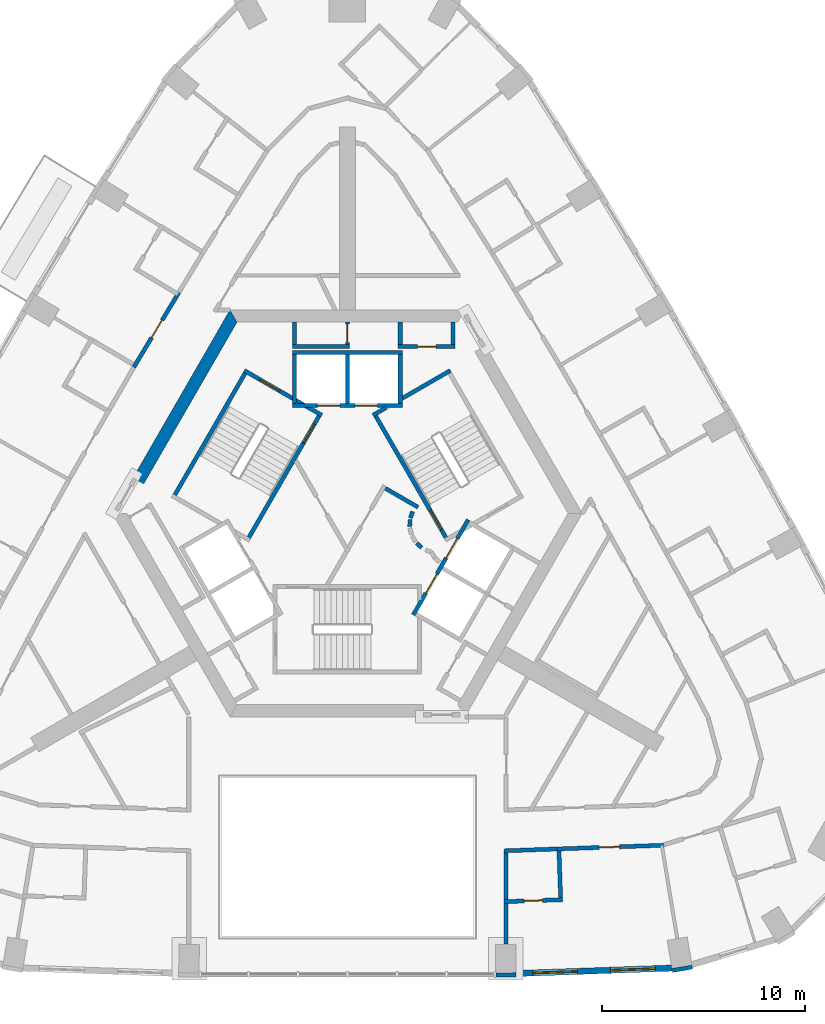
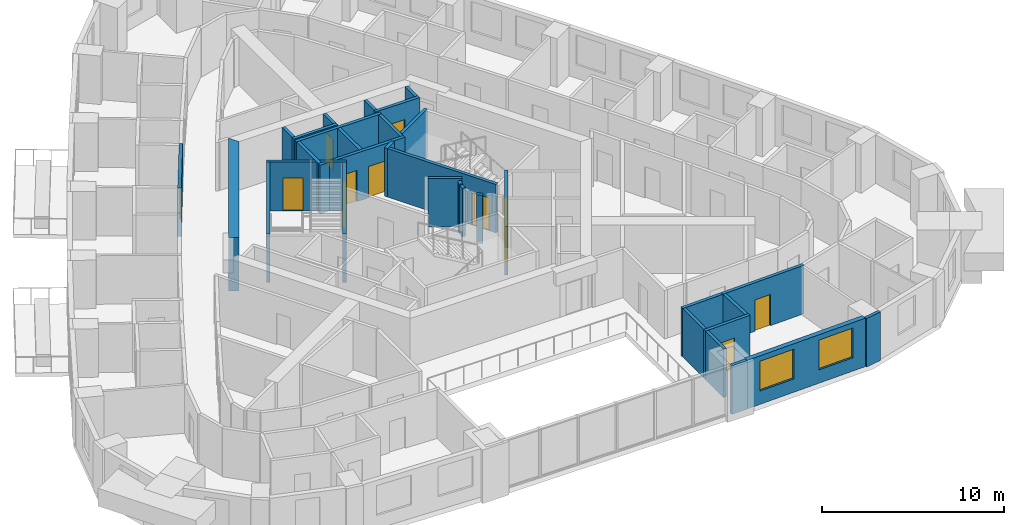
# One storey, part 6 of 14: 33 walls, 12 doors, 2 windows, 14 openings.
"""IFC4 building model written with IfcOpenShell, lengths in metres."""

from ifc_helpers import new_model, si_unit, direction, frame, frame_2d, origin, place, context, subcontext, project, spatial, polyline, rectangle, outline, extrude, material, layer, layer_set, type_object, element, fill, save


model = new_model("IFC4")

# Units and contexts
model_context = context("Model", 3, precision=1e-05, world=origin(), true_north=direction((0.0, 1.0)))
body_context = subcontext(model_context, "Body", "Model", "MODEL_VIEW")
ifc_project = project(units=[si_unit("LENGTHUNIT", "METRE"), si_unit("AREAUNIT", "SQUARE_METRE"), si_unit("VOLUMEUNIT", "CUBIC_METRE"), si_unit("PLANEANGLEUNIT", "RADIAN"), si_unit("MASSUNIT", "GRAM", prefix="KILO")], contexts=[model_context])

# Site, building, storey
site_placement = place(None, origin())
site = spatial("IfcSite", under=ifc_project, at=site_placement, CompositionType="ELEMENT")
building_placement = place(site_placement, origin())
building = spatial("IfcBuilding", under=site, at=building_placement, Name="Entoto Arch Interchange Tower", CompositionType="ELEMENT")
storey_placement = place(building_placement, frame((0.0, 0.0, 259.39990234375)))
storey = spatial("IfcBuildingStorey", under=building, at=storey_placement, Name="L59", CompositionType="ELEMENT", Elevation=259.39990234375)

# Wall
ifc_material_1 = material(Name="Concrete C40/50", Category="concrete")
ifc_layer_1 = layer(ifc_material_1, 0.60009765625)
ifc_layer_set_1 = layer_set([ifc_layer_1], Name="Concrete C40/50")
wall_type_1 = type_object("IfcWallType", Name="Core wall 600 C40/50", PredefinedType="SHEAR", material=ifc_layer_set_1)
wall_1_placement = place(storey_placement, frame((0.0, 0.0, -0.33984375)))
element("IfcWall", 1, at=wall_1_placement, inside=storey, type_object=wall_type_1, Name="Core wall NW L59", PredefinedType="SHEAR", context=body_context, shape_type="SweptSolid", body=[
    extrude(outline(polyline([(-10.534912109375, 4.2529296875), (-10.014892578125, 3.952880859375), (-5.427001953125, 11.89990234375), (-5.77392578125, 12.5), (-10.534912109375, 4.2529296875)])), origin(), (0.0, 0.0, 1.0), 3.599853515625),
])

# Wall, openings, doors
ifc_layer_2 = layer(ifc_material_1, 0.199951171875)
ifc_layer_set_2 = layer_set([ifc_layer_2], Name="Concrete C40/50")
wall_type_2 = type_object("IfcWallType", Name="LIFT SHAFT WALL 200", PredefinedType="STANDARD", material=ifc_layer_set_2)
wall_2_placement = place(storey_placement, frame((2.699951171875, 7.800048828125, 0.0), z_axis=(0.0, 0.0, 1.0), x_axis=(-1.0, 0.0, 0.0)))
wall_2 = element("IfcWall", 2, at=wall_2_placement, inside=storey, type_object=wall_type_2, Name="Shaft wall N1 front", PredefinedType="STANDARD", context=body_context, shape_type="SweptSolid", body=[
    extrude(rectangle(XDim=5.39990234375, YDim=0.199951171875, at=frame_2d((2.699951171875, 0.0))), origin(), (0.0, 0.0, 1.0), 3.260009765625),
])
opening_1_placement = place(wall_2_placement, frame((1.22509765625, 0.0, 0.0)))
opening_1 = element("IfcOpeningElement", 3, at=opening_1_placement, cuts=wall_2, Name="Opening LD-HR1-L59", PredefinedType="OPENING", context=body_context, shape_type="SweptSolid", body=[
    extrude(rectangle(XDim=1.10009765625, YDim=2.10009765625, at=frame_2d((0.550048828125, 1.050048828125))), frame((0.0, 0.10986328125, 0.0), z_axis=(0.0, -1.0, 0.0), x_axis=(1.0, 0.0, 0.0)), (0.0, 0.0, 1.0), 0.219970703125),
])
opening_2_placement = place(wall_2_placement, frame((3.074951171875, 0.0, 0.0)))
opening_2 = element("IfcOpeningElement", 4, at=opening_2_placement, cuts=wall_2, Name="Opening LD-HR2-L59", PredefinedType="OPENING", context=body_context, shape_type="SweptSolid", body=[
    extrude(rectangle(XDim=1.10009765625, YDim=2.10009765625, at=frame_2d((0.550048828125, 1.050048828125))), frame((0.0, 0.10986328125, 0.0), z_axis=(0.0, -1.0, 0.0), x_axis=(1.0, 0.0, 0.0)), (0.0, 0.0, 1.0), 0.219970703125),
])
ifc_material_2 = material(Name="Stainless steel 1.4301 panels", Category="steel")
door_type_1 = type_object("IfcDoorType", Name="LIFT LANDING DOOR LD1 1100x2100", OperationType="SLIDING_TO_LEFT", PredefinedType="DOOR", material=ifc_material_2)
door_1_placement = place(opening_1_placement, origin())
door_1 = element("IfcDoor", 5, at=door_1_placement, inside=storey, type_object=door_type_1, Name="Lift landing door HR1 L59", OperationType="SLIDING_TO_LEFT", OverallHeight=2.10009765625, OverallWidth=1.10009765625, PredefinedType="DOOR", context=body_context, shape_type="SweptSolid", body=[
    extrude(rectangle(XDim=1.10009765625, YDim=2.10009765625, at=frame_2d((0.550048828125, 1.050048828125))), frame((0.0, 0.02490234375, 0.0), z_axis=(0.0, -1.0, 0.0), x_axis=(1.0, 0.0, 0.0)), (0.0, 0.0, 1.0), 0.050048828125),
])
fill(opening_1, door_1)
door_2_placement = place(opening_2_placement, origin())
door_2 = element("IfcDoor", 6, at=door_2_placement, inside=storey, type_object=door_type_1, Name="Lift landing door HR2 L59", OperationType="SLIDING_TO_LEFT", OverallHeight=2.10009765625, OverallWidth=1.10009765625, PredefinedType="DOOR", context=body_context, shape_type="SweptSolid", body=[
    extrude(rectangle(XDim=1.10009765625, YDim=2.10009765625, at=frame_2d((0.550048828125, 1.050048828125))), frame((0.0, 0.02490234375, 0.0), z_axis=(0.0, -1.0, 0.0), x_axis=(1.0, 0.0, 0.0)), (0.0, 0.0, 1.0), 0.050048828125),
])
fill(opening_2, door_2)

# Walls
wall_3_placement = place(storey_placement, frame((2.699951171875, 10.39990234375, 0.0), z_axis=(0.0, 0.0, 1.0), x_axis=(-1.0, 0.0, 0.0)))
element("IfcWall", 7, at=wall_3_placement, inside=storey, type_object=wall_type_2, Name="Shaft wall N1 back", PredefinedType="STANDARD", context=body_context, shape_type="SweptSolid", body=[
    extrude(rectangle(XDim=5.39990234375, YDim=0.199951171875, at=frame_2d((2.699951171875, 0.0))), origin(), (0.0, 0.0, 1.0), 3.260009765625),
])
for number, where, z_axis, x_axis, name in (
    (8, (2.60009765625, 7.89990234375, 0.0), (0.0, 0.0, 1.0), (0.0, 1.0, 0.0), "Shaft wall N1 cross 1"),
    (9, (0.0, 7.89990234375, 0.0), (0.0, 0.0, 1.0), (0.0, 1.0, 0.0), "Shaft wall N1 cross 2"),
    (10, (-2.60009765625, 7.89990234375, 0.0), (0.0, 0.0, 1.0), (0.0, 1.0, 0.0), "Shaft wall N1 cross 3"),
):
    element("IfcWall", number, at=place(storey_placement, frame(where, z_axis=z_axis, x_axis=x_axis)), inside=storey, type_object=wall_type_2, Name=name, PredefinedType="STANDARD", context=body_context, shape_type="SweptSolid", body=[
        extrude(rectangle(XDim=2.400146484375, YDim=0.199951171875, at=frame_2d((1.2001953125, 0.0))), origin(), (0.0, 0.0, 1.0), 3.260009765625),
    ])

# Wall, openings, doors
wall_4_placement = place(storey_placement, frame((3.239990234375, -2.488037109375, 0.0), z_axis=(0.0, 0.0, 1.0), x_axis=(0.500034260056, 0.866005622828, 0.0)))
wall_4 = element("IfcWall", 11, at=wall_4_placement, inside=storey, type_object=wall_type_2, Name="Shaft wall SE1 front", PredefinedType="STANDARD", context=body_context, shape_type="SweptSolid", body=[
    extrude(rectangle(XDim=5.3994140625, YDim=0.199951171875, at=frame_2d((2.69970703125, 0.0))), origin(), (0.0, 0.0, 1.0), 3.260009765625),
])
opening_3_placement = place(wall_4_placement, frame((3.22509765625, 0.0, 0.0)))
opening_3 = element("IfcOpeningElement", 12, at=opening_3_placement, cuts=wall_4, Name="Opening LD-HR3-L59", PredefinedType="OPENING", context=body_context, shape_type="SweptSolid", body=[
    extrude(rectangle(XDim=1.10009765625, YDim=2.10009765625, at=frame_2d((0.550048828125, 1.050048828125))), frame((0.0, 0.10986328125, 0.0), z_axis=(0.0, -1.0, 0.0), x_axis=(1.0, 0.0, 0.0)), (0.0, 0.0, 1.0), 0.219970703125),
])
opening_4_placement = place(wall_4_placement, frame((1.22509765625, 0.0, 0.0)))
opening_4 = element("IfcOpeningElement", 13, at=opening_4_placement, cuts=wall_4, Name="Opening LD-FF1-L59", PredefinedType="OPENING", context=body_context, shape_type="SweptSolid", body=[
    extrude(rectangle(XDim=1.10009765625, YDim=2.10009765625, at=frame_2d((0.550048828125, 1.050048828125))), frame((0.0, 0.10986328125, 0.0), z_axis=(0.0, -1.0, 0.0), x_axis=(1.0, 0.0, 0.0)), (0.0, 0.0, 1.0), 0.219970703125),
])
door_3_placement = place(opening_3_placement, origin())
door_3 = element("IfcDoor", 14, at=door_3_placement, inside=storey, type_object=door_type_1, Name="Lift landing door HR3 L59", OperationType="SLIDING_TO_LEFT", OverallHeight=2.10009765625, OverallWidth=1.10009765625, PredefinedType="DOOR", context=body_context, shape_type="SweptSolid", body=[
    extrude(rectangle(XDim=1.10009765625, YDim=2.10009765625, at=frame_2d((0.550048828125, 1.050048828125))), frame((0.0, 0.02490234375, 0.0), z_axis=(0.0, -1.0, 0.0), x_axis=(1.0, 0.0, 0.0)), (0.0, 0.0, 1.0), 0.050048828125),
])
fill(opening_3, door_3)
door_4_placement = place(opening_4_placement, origin())
door_4 = element("IfcDoor", 15, at=door_4_placement, inside=storey, type_object=door_type_1, Name="Lift landing door FF1 L59", OperationType="SLIDING_TO_LEFT", OverallHeight=2.10009765625, OverallWidth=1.10009765625, PredefinedType="DOOR", context=body_context, shape_type="SweptSolid", body=[
    extrude(rectangle(XDim=1.10009765625, YDim=2.10009765625, at=frame_2d((0.550048828125, 1.050048828125))), frame((0.0, 0.02490234375, 0.0), z_axis=(0.0, -1.0, 0.0), x_axis=(1.0, 0.0, 0.0)), (0.0, 0.0, 1.0), 0.050048828125),
])
fill(opening_4, door_4)

# Wall, opening, door
ifc_material_3 = material(Name="Gypsum board partition on steel studs", Category="steel")
ifc_layer_3 = layer(ifc_material_3, 0.199951171875)
ifc_layer_set_3 = layer_set([ifc_layer_3], Name="Gypsum board partition on steel studs")
wall_type_3 = type_object("IfcWallType", Name="PARTITION 200", PredefinedType="PARTITIONING", material=ifc_layer_set_3)
wall_5_placement = place(storey_placement, frame((15.55908203125, -13.81396484375, 0.0), z_axis=(0.0, 0.0, 1.0), x_axis=(-0.999388410674, -0.034968623214, 0.0)))
wall_5 = element("IfcWall", 16, at=wall_5_placement, inside=storey, type_object=wall_type_3, Name="wall:L59:p036", PredefinedType="PARTITIONING", context=body_context, shape_type="SweptSolid", body=[
    extrude(rectangle(XDim=5.26416015625, YDim=0.199951171875, at=frame_2d((2.632080078125, 0.0))), origin(), (0.0, 0.0, 1.0), 3.260009765625),
])
opening_5_placement = place(wall_5_placement, frame((2.181884765625, 0.0, 0.0)))
opening_5 = element("IfcOpeningElement", 17, at=opening_5_placement, cuts=wall_5, Name="Opening L59-D01", PredefinedType="OPENING", context=body_context, shape_type="SweptSolid", body=[
    extrude(rectangle(XDim=1.0, YDim=2.10009765625, at=frame_2d((0.5, 1.050048828125))), frame((0.0, 0.10986328125, 0.0), z_axis=(0.0, -1.0, 0.0), x_axis=(1.0, 0.0, 0.0)), (0.0, 0.0, 1.0), 0.219970703125),
])
ifc_material_4 = material(Name="Fire-rated Steel S235 door and frame", Category="steel")
door_type_2 = type_object("IfcDoorType", Name="DOOR FD-10 1000x2100", OperationType="SINGLE_SWING_LEFT", PredefinedType="DOOR", material=ifc_material_4)
door_5_placement = place(opening_5_placement, origin())
door_5 = element("IfcDoor", 18, at=door_5_placement, inside=storey, type_object=door_type_2, Name="door:L59:01", OperationType="SINGLE_SWING_LEFT", OverallHeight=2.10009765625, OverallWidth=1.0, PredefinedType="DOOR", context=body_context, shape_type="SweptSolid", body=[
    extrude(rectangle(XDim=1.0, YDim=2.10009765625, at=frame_2d((0.5, 1.050048828125))), frame((0.0, 0.02490234375, 0.0), z_axis=(0.0, -1.0, 0.0), x_axis=(1.0, 0.0, 0.0)), (0.0, 0.0, 1.0), 0.050048828125),
])
fill(opening_5, door_5)

# Wall
wall_6_placement = place(storey_placement, frame((10.298095703125, -13.998046875, 0.0), z_axis=(0.0, 0.0, 1.0), x_axis=(-0.999386321032, -0.035028293342, 0.0)))
element("IfcWall", 19, at=wall_6_placement, inside=storey, type_object=wall_type_3, Name="wall:L59:p037", PredefinedType="PARTITIONING", context=body_context, shape_type="SweptSolid", body=[
    extrude(rectangle(XDim=2.599853515625, YDim=0.199951171875, at=frame_2d((1.2998046875, 0.0))), origin(), (0.0, 0.0, 1.0), 3.260009765625),
])

# Wall, opening, door
wall_7_placement = place(storey_placement, frame((-10.498046875, 9.68896484375, 0.0), z_axis=(0.0, 0.0, 1.0), x_axis=(0.516353342298, 0.856375633643, 0.0)))
wall_7 = element("IfcWall", 20, at=wall_7_placement, inside=storey, type_object=wall_type_3, Name="wall:L59:p058", PredefinedType="PARTITIONING", context=body_context, shape_type="SweptSolid", body=[
    extrude(rectangle(XDim=4.2880859375, YDim=0.199951171875, at=frame_2d((2.14404296875, 0.0))), origin(), (0.0, 0.0, 1.0), 3.260009765625),
])
opening_6_placement = place(wall_7_placement, frame((1.694091796875, 0.0, 0.0)))
opening_6 = element("IfcOpeningElement", 21, at=opening_6_placement, cuts=wall_7, Name="Opening L59-D21", PredefinedType="OPENING", context=body_context, shape_type="SweptSolid", body=[
    extrude(rectangle(XDim=1.0, YDim=2.10009765625, at=frame_2d((0.5, 1.050048828125))), frame((0.0, 0.10986328125, 0.0), z_axis=(0.0, -1.0, 0.0), x_axis=(1.0, 0.0, 0.0)), (0.0, 0.0, 1.0), 0.219970703125),
])
door_6_placement = place(opening_6_placement, origin())
door_6 = element("IfcDoor", 22, at=door_6_placement, inside=storey, type_object=door_type_2, Name="door:L59:21", OperationType="SINGLE_SWING_RIGHT", OverallHeight=2.10009765625, OverallWidth=1.0, PredefinedType="DOOR", context=body_context, shape_type="SweptSolid", body=[
    extrude(rectangle(XDim=1.0, YDim=2.10009765625, at=frame_2d((0.5, 1.050048828125))), frame((0.0, 0.02490234375, 0.0), z_axis=(0.0, -1.0, 0.0), x_axis=(1.0, 0.0, 0.0)), (0.0, 0.0, 1.0), 0.050048828125),
])
fill(opening_6, door_6)

# Wall
wall_8_placement = place(storey_placement, frame((5.199951171875, 11.89990234375, 0.0), z_axis=(0.0, 0.0, 1.0), x_axis=(0.0, -1.0, 0.0)))
element("IfcWall", 23, at=wall_8_placement, inside=storey, type_object=wall_type_3, Name="wall:L59:p072", PredefinedType="PARTITIONING", context=body_context, shape_type="SweptSolid", body=[
    extrude(rectangle(XDim=1.099853515625, YDim=0.199951171875, at=frame_2d((0.5498046875, 0.0))), origin(), (0.0, 0.0, 1.0), 3.260009765625),
])

# Wall, opening, door
wall_9_placement = place(storey_placement, frame((5.300048828125, 10.699951171875, 0.0), z_axis=(0.0, 0.0, 1.0), x_axis=(-1.0, 0.0, 0.0)))
wall_9 = element("IfcWall", 24, at=wall_9_placement, inside=storey, type_object=wall_type_3, Name="wall:L59:p073", PredefinedType="PARTITIONING", context=body_context, shape_type="SweptSolid", body=[
    extrude(rectangle(XDim=2.800048828125, YDim=0.199951171875, at=frame_2d((1.39990234375, 0.0))), origin(), (0.0, 0.0, 1.0), 3.260009765625),
])
opening_7_placement = place(wall_9_placement, frame((0.949951171875, 0.0, 0.0)))
opening_7 = element("IfcOpeningElement", 25, at=opening_7_placement, cuts=wall_9, Name="Opening L59-D48", PredefinedType="OPENING", context=body_context, shape_type="SweptSolid", body=[
    extrude(rectangle(XDim=0.89990234375, YDim=2.10009765625, at=frame_2d((0.449951171875, 1.050048828125))), frame((0.0, 0.10986328125, 0.0), z_axis=(0.0, -1.0, 0.0), x_axis=(1.0, 0.0, 0.0)), (0.0, 0.0, 1.0), 0.219970703125),
])
ifc_material_5 = material(Name="Timber door leaf in Steel S235 frame", Category="steel")
door_type_3 = type_object("IfcDoorType", Name="DOOR DS-09 900x2100", OperationType="SINGLE_SWING_LEFT", PredefinedType="DOOR", material=ifc_material_5)
door_7_placement = place(opening_7_placement, origin())
door_7 = element("IfcDoor", 26, at=door_7_placement, inside=storey, type_object=door_type_3, Name="door:L59:48", OperationType="SINGLE_SWING_RIGHT", OverallHeight=2.10009765625, OverallWidth=0.89990234375, PredefinedType="DOOR", context=body_context, shape_type="SweptSolid", body=[
    extrude(rectangle(XDim=0.89990234375, YDim=2.10009765625, at=frame_2d((0.449951171875, 1.050048828125))), frame((0.0, 0.02490234375, 0.0), z_axis=(0.0, -1.0, 0.0), x_axis=(1.0, 0.0, 0.0)), (0.0, 0.0, 1.0), 0.050048828125),
])
fill(opening_7, door_7)

# Wall
wall_10_placement = place(storey_placement, frame((2.60009765625, 10.800048828125, 0.0), z_axis=(0.0, 0.0, 1.0), x_axis=(0.0, 1.0, 0.0)))
element("IfcWall", 27, at=wall_10_placement, inside=storey, type_object=wall_type_3, Name="wall:L59:p074", PredefinedType="PARTITIONING", context=body_context, shape_type="SweptSolid", body=[
    extrude(rectangle(XDim=1.099853515625, YDim=0.199951171875, at=frame_2d((0.5498046875, 0.0))), origin(), (0.0, 0.0, 1.0), 3.260009765625),
])

# Wall, opening, door
wall_11_placement = place(storey_placement, frame((0.0, 11.89990234375, 0.0), z_axis=(0.0, 0.0, 1.0), x_axis=(0.0, -1.0, 0.0)))
wall_11 = element("IfcWall", 28, at=wall_11_placement, inside=storey, type_object=wall_type_3, Name="wall:L59:p075", PredefinedType="PARTITIONING", context=body_context, shape_type="SweptSolid", body=[
    extrude(rectangle(XDim=1.099853515625, YDim=0.199951171875, at=frame_2d((0.5498046875, 0.0))), origin(), (0.0, 0.0, 1.0), 3.260009765625),
])
opening_8_placement = place(wall_11_placement, frame((0.10009765625, 0.0, 0.0)))
opening_8 = element("IfcOpeningElement", 29, at=opening_8_placement, cuts=wall_11, Name="Opening L59-D49", PredefinedType="OPENING", context=body_context, shape_type="SweptSolid", body=[
    extrude(rectangle(XDim=0.89990234375, YDim=2.10009765625, at=frame_2d((0.449951171875, 1.050048828125))), frame((0.0, 0.10986328125, 0.0), z_axis=(0.0, -1.0, 0.0), x_axis=(1.0, 0.0, 0.0)), (0.0, 0.0, 1.0), 0.219970703125),
])
door_8_placement = place(opening_8_placement, origin())
door_8 = element("IfcDoor", 30, at=door_8_placement, inside=storey, type_object=door_type_3, Name="door:L59:49", OperationType="SINGLE_SWING_LEFT", OverallHeight=2.10009765625, OverallWidth=0.89990234375, PredefinedType="DOOR", context=body_context, shape_type="SweptSolid", body=[
    extrude(rectangle(XDim=0.89990234375, YDim=2.10009765625, at=frame_2d((0.449951171875, 1.050048828125))), frame((0.0, 0.02490234375, 0.0), z_axis=(0.0, -1.0, 0.0), x_axis=(1.0, 0.0, 0.0)), (0.0, 0.0, 1.0), 0.050048828125),
])
fill(opening_8, door_8)

# Walls
wall_12_placement = place(storey_placement, frame((0.10009765625, 10.699951171875, 0.0), z_axis=(0.0, 0.0, 1.0), x_axis=(-1.0, 0.0, 0.0)))
element("IfcWall", 31, at=wall_12_placement, inside=storey, type_object=wall_type_3, Name="wall:L59:p076", PredefinedType="PARTITIONING", context=body_context, shape_type="SweptSolid", body=[
    extrude(rectangle(XDim=2.800048828125, YDim=0.199951171875, at=frame_2d((1.39990234375, 0.0))), origin(), (0.0, 0.0, 1.0), 3.260009765625),
])
wall_13_placement = place(storey_placement, frame((-2.60009765625, 10.800048828125, 0.0), z_axis=(0.0, 0.0, 1.0), x_axis=(0.0, 1.0, 0.0)))
element("IfcWall", 32, at=wall_13_placement, inside=storey, type_object=wall_type_3, Name="wall:L59:p077", PredefinedType="PARTITIONING", context=body_context, shape_type="SweptSolid", body=[
    extrude(rectangle(XDim=1.099853515625, YDim=0.199951171875, at=frame_2d((0.5498046875, 0.0))), origin(), (0.0, 0.0, 1.0), 3.260009765625),
])
wall_14_placement = place(storey_placement, frame((1.865966796875, 3.73193359375, 0.0), z_axis=(0.0, 0.0, 1.0), x_axis=(0.866043361281, -0.499968895414, 0.0)))
element("IfcWall", 33, at=wall_14_placement, inside=storey, type_object=wall_type_3, Name="wall:L59:p095", PredefinedType="PARTITIONING", context=body_context, shape_type="SweptSolid", body=[
    extrude(rectangle(XDim=1.85791015625, YDim=0.199951171875, at=frame_2d((0.928955078125, 0.0))), origin(), (0.0, 0.0, 1.0), 3.260009765625),
])
wall_15_placement = place(storey_placement, frame((3.2080078125, 2.592041015625, 0.0), z_axis=(0.0, 0.0, 1.0), x_axis=(-0.337388820924, -0.941365382578, 0.0)))
element("IfcWall", 34, at=wall_15_placement, inside=storey, type_object=wall_type_3, Name="wall:L59:p096", PredefinedType="PARTITIONING", context=body_context, shape_type="SweptSolid", body=[
    extrude(rectangle(XDim=0.337890625, YDim=0.199951171875, at=frame_2d((0.1689453125, 0.0))), origin(), (0.0, 0.0, 1.0), 3.260009765625),
])
wall_16_placement = place(storey_placement, frame((3.0791015625, 2.198974609375, 0.0), z_axis=(0.0, 0.0, 1.0), x_axis=(-0.047771483479, -0.998858290933, 0.0)))
element("IfcWall", 35, at=wall_16_placement, inside=storey, type_object=wall_type_3, Name="wall:L59:p097", PredefinedType="PARTITIONING", context=body_context, shape_type="SweptSolid", body=[
    extrude(rectangle(XDim=0.33740234375, YDim=0.199951171875, at=frame_2d((0.168701171875, 0.0))), origin(), (0.0, 0.0, 1.0), 3.260009765625),
])
wall_17_placement = place(storey_placement, frame((3.404052734375, 1.0390625, 0.0), z_axis=(0.0, 0.0, 1.0), x_axis=(0.740267097712, -0.672312891476, 0.0)))
element("IfcWall", 36, at=wall_17_placement, inside=storey, type_object=wall_type_3, Name="wall:L59:p100", PredefinedType="PARTITIONING", context=body_context, shape_type="SweptSolid", body=[
    extrude(rectangle(XDim=0.337646484375, YDim=0.199951171875, at=frame_2d((0.1689453125, 0.0))), origin(), (0.0, 0.0, 1.0), 3.260009765625),
])
wall_18_placement = place(storey_placement, frame((7.800048828125, -16.68603515625, 0.0), z_axis=(0.0, 0.0, 1.0), x_axis=(0.0, -1.0, 0.0)))
element("IfcWall", 37, at=wall_18_placement, inside=storey, type_object=wall_type_3, Name="wall:L59:p107", PredefinedType="PARTITIONING", context=body_context, shape_type="SweptSolid", body=[
    extrude(rectangle(XDim=1.98291015625, YDim=0.199951171875, at=frame_2d((0.991455078125, 0.0))), origin(), (0.0, 0.0, 1.0), 3.260009765625),
])
wall_19_placement = place(storey_placement, frame((7.800048828125, -14.18505859375, 0.0), z_axis=(0.0, 0.0, 1.0), x_axis=(0.0, -1.0, 0.0)))
element("IfcWall", 38, at=wall_19_placement, inside=storey, type_object=wall_type_3, Name="wall:L59:p108", PredefinedType="PARTITIONING", context=body_context, shape_type="SweptSolid", body=[
    extrude(rectangle(XDim=2.301025390625, YDim=0.199951171875, at=frame_2d((1.150390625, 0.0))), origin(), (0.0, 0.0, 1.0), 3.260009765625),
])

# Wall, opening, door
wall_20_placement = place(storey_placement, frame((7.699951171875, -16.589111328125, 0.0), z_axis=(0.0, 0.0, 1.0), x_axis=(0.999410709261, 0.034325416459, 0.0)))
wall_20 = element("IfcWall", 39, at=wall_20_placement, inside=storey, type_object=wall_type_3, Name="wall:L59:p122", PredefinedType="PARTITIONING", context=body_context, shape_type="SweptSolid", body=[
    extrude(rectangle(XDim=2.8876953125, YDim=0.199951171875, at=frame_2d((1.44384765625, 0.0))), origin(), (0.0, 0.0, 1.0), 3.260009765625),
])
opening_9_placement = place(wall_20_placement, frame((0.993896484375, 0.0, 0.0)))
opening_9 = element("IfcOpeningElement", 40, at=opening_9_placement, cuts=wall_20, Name="Opening L59-D02", PredefinedType="OPENING", context=body_context, shape_type="SweptSolid", body=[
    extrude(rectangle(XDim=0.89990234375, YDim=2.10009765625, at=frame_2d((0.449951171875, 1.050048828125))), frame((0.0, 0.10986328125, 0.0), z_axis=(0.0, -1.0, 0.0), x_axis=(1.0, 0.0, 0.0)), (0.0, 0.0, 1.0), 0.219970703125),
])
door_9_placement = place(opening_9_placement, origin())
door_9 = element("IfcDoor", 41, at=door_9_placement, inside=storey, type_object=door_type_3, Name="door:L59:02", OperationType="SINGLE_SWING_LEFT", OverallHeight=2.10009765625, OverallWidth=0.89990234375, PredefinedType="DOOR", context=body_context, shape_type="SweptSolid", body=[
    extrude(rectangle(XDim=0.89990234375, YDim=2.10009765625, at=frame_2d((0.449951171875, 1.050048828125))), frame((0.0, 0.02490234375, 0.0), z_axis=(0.0, -1.0, 0.0), x_axis=(1.0, 0.0, 0.0)), (0.0, 0.0, 1.0), 0.050048828125),
])
fill(opening_9, door_9)

# Walls
wall_21_placement = place(storey_placement, frame((10.48193359375, -16.39306640625, 0.0), z_axis=(0.0, 0.0, 1.0), x_axis=(-0.034703518322, 0.999397651496, 0.0)))
element("IfcWall", 42, at=wall_21_placement, inside=storey, type_object=wall_type_3, Name="wall:L59:p123", PredefinedType="PARTITIONING", context=body_context, shape_type="SweptSolid", body=[
    extrude(rectangle(XDim=2.300537109375, YDim=0.199951171875, at=frame_2d((1.150390625, 0.0))), origin(), (0.0, 0.0, 1.0), 3.260009765625),
])
ifc_layer_4 = layer(ifc_material_1, 0.199951171875)
ifc_layer_set_4 = layer_set([ifc_layer_4], Name="Concrete C40/50")
wall_type_4 = type_object("IfcWallType", Name="STAIR ENCLOSURE WALL 200", PredefinedType="STANDARD", material=ifc_layer_set_4)
wall_22_placement = place(storey_placement, frame((2.699951171875, 8.157958984375, 0.0), z_axis=(0.0, 0.0, 1.0), x_axis=(0.86611865017, 0.499838457731, 0.0)))
element("IfcWall", 43, at=wall_22_placement, inside=storey, type_object=wall_type_4, Name="Stair wall ST-NE far", PredefinedType="STANDARD", context=body_context, shape_type="SweptSolid", body=[
    extrude(rectangle(XDim=2.73291015625, YDim=0.199951171875, at=frame_2d((1.366455078125, 0.0))), origin(), (0.0, 0.0, 1.0), 3.260009765625),
])
wall_23_placement = place(storey_placement, frame((1.256103515625, 7.323974609375, 0.0), z_axis=(0.0, 0.0, 1.0), x_axis=(0.865915093549, 0.500191014278, 0.0)))
element("IfcWall", 44, at=wall_23_placement, inside=storey, type_object=wall_type_4, Name="Stair wall ST-NE far return", PredefinedType="STANDARD", context=body_context, shape_type="SweptSolid", body=[
    extrude(rectangle(XDim=0.751708984375, YDim=0.199951171875, at=frame_2d((0.3759765625, 0.0))), origin(), (0.0, 0.0, 1.0), 3.260009765625),
])

# Wall, opening, door
wall_24_placement = place(storey_placement, frame((4.843017578125, 1.31201171875, 0.0), z_axis=(0.0, 0.0, 1.0), x_axis=(-0.499963383562, 0.866046543262, 0.0)))
wall_24 = element("IfcWall", 45, at=wall_24_placement, inside=storey, type_object=wall_type_4, Name="Stair wall ST-NE hall", PredefinedType="STANDARD", context=body_context, shape_type="SweptSolid", body=[
    extrude(rectangle(XDim=6.900390625, YDim=0.199951171875, at=frame_2d((3.4501953125, 0.0))), origin(), (0.0, 0.0, 1.0), 3.260009765625),
])
opening_10_placement = place(wall_24_placement, frame((0.449951171875, 0.0, 0.0)))
opening_10 = element("IfcOpeningElement", 46, at=opening_10_placement, cuts=wall_24, Name="Opening SD-ST-NE-L59", PredefinedType="OPENING", context=body_context, shape_type="SweptSolid", body=[
    extrude(rectangle(XDim=1.10009765625, YDim=2.199951171875, at=frame_2d((0.550048828125, 1.10009765625))), frame((0.0, 0.10986328125, 0.0), z_axis=(0.0, -1.0, 0.0), x_axis=(1.0, 0.0, 0.0)), (0.0, 0.0, 1.0), 0.219970703125),
])
ifc_material_6 = material(Name="Steel S235", Category="steel")
door_type_4 = type_object("IfcDoorType", Name="STAIR DOOR SD1 1100x2200", OperationType="SINGLE_SWING_LEFT", PredefinedType="DOOR", material=ifc_material_6)
door_10_placement = place(opening_10_placement, origin())
door_10 = element("IfcDoor", 47, at=door_10_placement, inside=storey, type_object=door_type_4, Name="Stair door ST-NE L59", OperationType="SINGLE_SWING_LEFT", OverallHeight=2.199951171875, OverallWidth=1.10009765625, PredefinedType="DOOR", context=body_context, shape_type="SweptSolid", body=[
    extrude(rectangle(XDim=1.10009765625, YDim=2.199951171875, at=frame_2d((0.550048828125, 1.10009765625))), frame((0.0, 0.02490234375, 0.0), z_axis=(0.0, -1.0, 0.0), x_axis=(1.0, 0.0, 0.0)), (0.0, 0.0, 1.0), 0.050048828125),
])
fill(opening_10, door_10)

wall_25_placement = place(storey_placement, frame((-1.256103515625, 7.323974609375, 0.0), z_axis=(0.0, 0.0, 1.0), x_axis=(-0.866046073146, 0.499964197906, 0.0)))
wall_25 = element("IfcWall", 48, at=wall_25_placement, inside=storey, type_object=wall_type_4, Name="Stair wall ST-NW near", PredefinedType="STANDARD", context=body_context, shape_type="SweptSolid", body=[
    extrude(rectangle(XDim=4.400146484375, YDim=0.199951171875, at=frame_2d((2.2001953125, 0.0))), origin(), (0.0, 0.0, 1.0), 3.260009765625),
])
opening_11_placement = place(wall_25_placement, frame((2.39990234375, 0.0, 0.0)))
opening_11 = element("IfcOpeningElement", 49, at=opening_11_placement, cuts=wall_25, Name="Opening SD-ST-NW-L59-E", PredefinedType="OPENING", context=body_context, shape_type="SweptSolid", body=[
    extrude(rectangle(XDim=1.10009765625, YDim=2.199951171875, at=frame_2d((0.550048828125, 1.10009765625))), frame((0.0, 0.10986328125, 0.0), z_axis=(0.0, -1.0, 0.0), x_axis=(1.0, 0.0, 0.0)), (0.0, 0.0, 1.0), 0.219970703125),
])
door_11_placement = place(opening_11_placement, origin())
door_11 = element("IfcDoor", 50, at=door_11_placement, inside=storey, type_object=door_type_4, Name="Stair door ST-NW L59 end", OperationType="SINGLE_SWING_LEFT", OverallHeight=2.199951171875, OverallWidth=1.10009765625, PredefinedType="DOOR", context=body_context, shape_type="SweptSolid", body=[
    extrude(rectangle(XDim=1.10009765625, YDim=2.199951171875, at=frame_2d((0.550048828125, 1.10009765625))), frame((0.0, 0.02490234375, 0.0), z_axis=(0.0, -1.0, 0.0), x_axis=(1.0, 0.0, 0.0)), (0.0, 0.0, 1.0), 0.050048828125),
])
fill(opening_11, door_11)

wall_26_placement = place(storey_placement, frame((-1.39306640625, 7.2880859375, 0.0), z_axis=(0.0, 0.0, 1.0), x_axis=(-0.499963383562, -0.866046543262, 0.0)))
wall_26 = element("IfcWall", 51, at=wall_26_placement, inside=storey, type_object=wall_type_4, Name="Stair wall ST-NW hall", PredefinedType="STANDARD", context=body_context, shape_type="SweptSolid", body=[
    extrude(rectangle(XDim=6.900390625, YDim=0.199951171875, at=frame_2d((3.4501953125, 0.0))), origin(), (0.0, 0.0, 1.0), 3.260009765625),
])
opening_12_placement = place(wall_26_placement, frame((0.449951171875, 0.0, 0.0)))
opening_12 = element("IfcOpeningElement", 52, at=opening_12_placement, cuts=wall_26, Name="Opening SD-ST-NW-L59", PredefinedType="OPENING", context=body_context, shape_type="SweptSolid", body=[
    extrude(rectangle(XDim=1.10009765625, YDim=2.199951171875, at=frame_2d((0.550048828125, 1.10009765625))), frame((0.0, 0.10986328125, 0.0), z_axis=(0.0, -1.0, 0.0), x_axis=(1.0, 0.0, 0.0)), (0.0, 0.0, 1.0), 0.219970703125),
])
door_12_placement = place(opening_12_placement, origin())
door_12 = element("IfcDoor", 53, at=door_12_placement, inside=storey, type_object=door_type_4, Name="Stair door ST-NW L59", OperationType="SINGLE_SWING_LEFT", OverallHeight=2.199951171875, OverallWidth=1.10009765625, PredefinedType="DOOR", context=body_context, shape_type="SweptSolid", body=[
    extrude(rectangle(XDim=1.10009765625, YDim=2.199951171875, at=frame_2d((0.550048828125, 1.10009765625))), frame((0.0, 0.02490234375, 0.0), z_axis=(0.0, -1.0, 0.0), x_axis=(1.0, 0.0, 0.0)), (0.0, 0.0, 1.0), 0.050048828125),
])
fill(opening_12, door_12)

# Wall
wall_27_placement = place(storey_placement, frame((-5.030029296875, 9.387939453125, 0.0), z_axis=(0.0, 0.0, 1.0), x_axis=(-0.499978703459, -0.866037698999, 0.0)))
element("IfcWall", 54, at=wall_27_placement, inside=storey, type_object=wall_type_4, Name="Stair wall ST-NW back", PredefinedType="STANDARD", context=body_context, shape_type="SweptSolid", body=[
    extrude(rectangle(XDim=6.900146484375, YDim=0.199951171875, at=frame_2d((3.4501953125, 0.0))), origin(), (0.0, 0.0, 1.0), 3.260009765625),
])

# Wall, openings, windows
ifc_material_7 = material(Name="Welded tuff (ignimbrite) cladding, warm buff", Category="masonry")
ifc_layer_5 = layer(ifc_material_7, 0.300048828125)
ifc_layer_set_5 = layer_set([ifc_layer_5], Name="Welded tuff (ignimbrite) cladding, warm buff")
wall_type_5 = type_object("IfcWallType", Name="STONE INFILL WALL 300", PredefinedType="STANDARD", material=ifc_layer_set_5)
wall_28_placement = place(storey_placement, frame((8.2958984375, -20.1220703125, 0.0), z_axis=(0.0, 0.0, 1.0), x_axis=(0.999387577449, 0.034992428331, 0.0)))
wall_28 = element("IfcWall", 55, at=wall_28_placement, inside=storey, type_object=wall_type_5, Name="Facade wall S-03 L59", PredefinedType="STANDARD", context=body_context, shape_type="SweptSolid", body=[
    extrude(rectangle(XDim=7.66064453125, YDim=0.300048828125, at=frame_2d((3.830322265625, 0.0))), origin(), (0.0, 0.0, 1.0), 3.260009765625),
])
opening_13_placement = place(wall_28_placement, frame((0.81494140625, 0.0, 0.89990234375)))
opening_13 = element("IfcOpeningElement", 56, at=opening_13_placement, cuts=wall_28, Name="Opening WH-A", PredefinedType="OPENING", context=body_context, shape_type="SweptSolid", body=[
    extrude(rectangle(XDim=2.199951171875, YDim=2.0, at=frame_2d((1.10009765625, 1.0))), frame((0.0, 0.16015625, 0.0), z_axis=(0.0, -1.0, 0.0), x_axis=(1.0, 0.0, 0.0)), (0.0, 0.0, 1.0), 0.320068359375),
])
opening_14_placement = place(wall_28_placement, frame((4.64599609375, 0.0, 0.89990234375)))
opening_14 = element("IfcOpeningElement", 57, at=opening_14_placement, cuts=wall_28, Name="Opening WH-A", PredefinedType="OPENING", context=body_context, shape_type="SweptSolid", body=[
    extrude(rectangle(XDim=2.199951171875, YDim=2.0, at=frame_2d((1.10009765625, 1.0))), frame((0.0, 0.16015625, 0.0), z_axis=(0.0, -1.0, 0.0), x_axis=(1.0, 0.0, 0.0)), (0.0, 0.0, 1.0), 0.320068359375),
])
ifc_material_8 = material(Name="Clear glass, low-e double glazed", Category="glass")
window_type = type_object("IfcWindowType", Name="WINDOW WH-A 2200x2000", PartitioningType="DOUBLE_PANEL_VERTICAL", PredefinedType="WINDOW", material=ifc_material_8)
window_1_placement = place(opening_13_placement, origin())
window_1 = element("IfcWindow", 58, at=window_1_placement, inside=storey, type_object=window_type, Name="Window WH-A S-03 L59", OverallHeight=2.0, OverallWidth=2.199951171875, PartitioningType="SINGLE_PANEL", PredefinedType="WINDOW", context=body_context, shape_type="SweptSolid", body=[
    extrude(rectangle(XDim=2.199951171875, YDim=2.0, at=frame_2d((1.10009765625, 1.0))), frame((0.0, 0.030029296875, 0.0), z_axis=(0.0, -1.0, 0.0), x_axis=(1.0, 0.0, 0.0)), (0.0, 0.0, 1.0), 0.06005859375),
])
fill(opening_13, window_1)
window_2_placement = place(opening_14_placement, origin())
window_2 = element("IfcWindow", 59, at=window_2_placement, inside=storey, type_object=window_type, Name="Window WH-A S-03 L59", OverallHeight=2.0, OverallWidth=2.199951171875, PartitioningType="SINGLE_PANEL", PredefinedType="WINDOW", context=body_context, shape_type="SweptSolid", body=[
    extrude(rectangle(XDim=2.199951171875, YDim=2.0, at=frame_2d((1.10009765625, 1.0))), frame((0.0, 0.030029296875, 0.0), z_axis=(0.0, -1.0, 0.0), x_axis=(1.0, 0.0, 0.0)), (0.0, 0.0, 1.0), 0.06005859375),
])
fill(opening_14, window_2)

# Walls
ifc_layer_6 = layer(ifc_material_7, 0.199951171875)
ifc_layer_set_6 = layer_set([ifc_layer_6], Name="Welded tuff (ignimbrite) cladding, warm buff")
wall_type_6 = type_object("IfcWallType", Name="STONE PIER CLADDING 200", PredefinedType="STANDARD", material=ifc_layer_set_6)
for number, where, z_axis, x_axis, name in (
    (60, (7.298095703125, -20.197998046875, 0.0), (0.0, 0.0, 1.0), (0.999836842422, 0.018063458579, 0.0), "Stone pier S03 L59"),
    (61, (15.969970703125, -19.970947265625, 0.0), (0.0, 0.0, 1.0), (0.985961725342, 0.166971483074, 0.0), "Stone pier S04 L59"),
):
    element("IfcWall", number, at=place(storey_placement, frame(where, z_axis=z_axis, x_axis=x_axis)), inside=storey, type_object=wall_type_6, Name=name, PredefinedType="STANDARD", context=body_context, shape_type="SweptSolid", body=[
        extrude(rectangle(XDim=1.000244140625, YDim=0.199951171875, at=frame_2d((0.5, 0.0))), origin(), (0.0, 0.0, 1.0), 3.260009765625),
    ])

save(model, "model.ifc")
